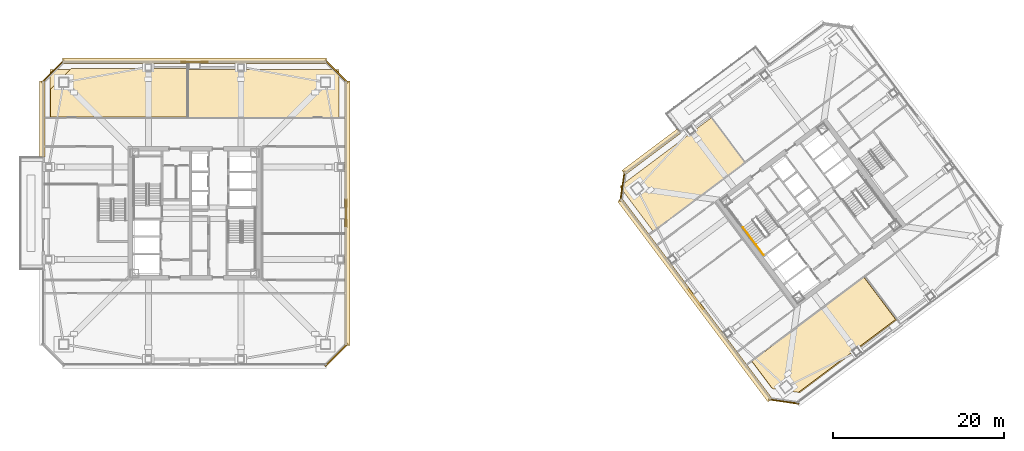
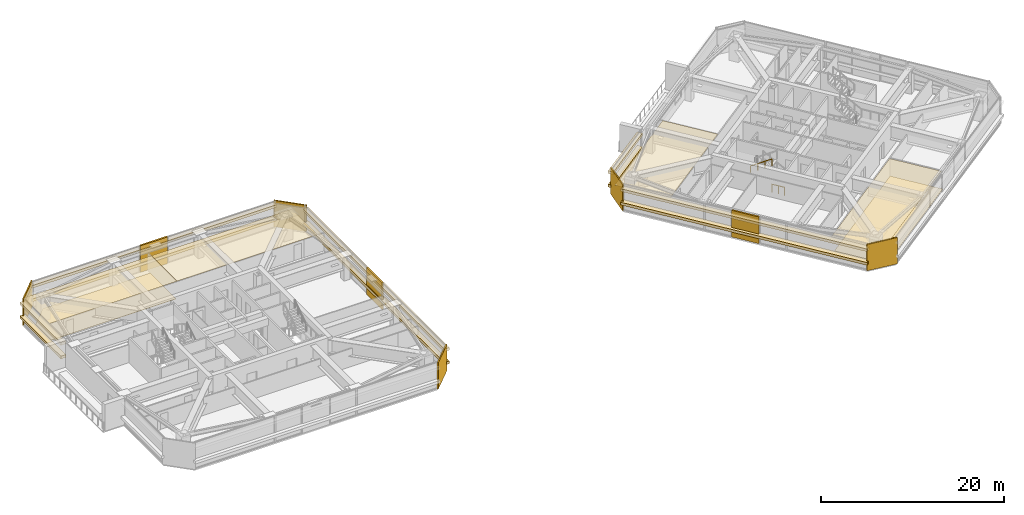
# One storey, part 39 of 42: 24 coverings, 2 railings.
"""IFC4 building model written with IfcOpenShell, lengths in metres."""

from ifc_helpers import new_model, si_unit, direction, frame, origin, origin_2d, place, context, subcontext, project, spatial, polyline, rectangle, outline, extrude, material, layer, layer_set, type_object, element, save


model = new_model("IFC4")

# Units and contexts
model_context = context("Model", 3, precision=1e-05, world=origin(), true_north=direction((0.0, 1.0)))
body_context = subcontext(model_context, "Body", "Model", "MODEL_VIEW")
ifc_project = project(units=[si_unit("LENGTHUNIT", "METRE"), si_unit("AREAUNIT", "SQUARE_METRE"), si_unit("VOLUMEUNIT", "CUBIC_METRE"), si_unit("PLANEANGLEUNIT", "RADIAN"), si_unit("MASSUNIT", "GRAM", prefix="KILO")], contexts=[model_context])

# Site, building, storey
site_placement = place(None, origin())
site = spatial("IfcSite", under=ifc_project, at=site_placement, CompositionType="ELEMENT")
building_placement = place(site_placement, origin())
building = spatial("IfcBuilding", under=site, at=building_placement, Name="Tashvorn Skyway Center", CompositionType="ELEMENT")
storey_placement = place(building_placement, frame((0.0, 0.0, 196.050048828125)))
storey = spatial("IfcBuildingStorey", under=building, at=storey_placement, Name="L53", CompositionType="ELEMENT", Elevation=196.050048828125)

# Coverings
ifc_material_1 = material(Name="Precast concrete C40/50", Category="concrete")
ifc_layer_1 = layer(ifc_material_1, 0.199951171875)
ifc_layer_set_1 = layer_set([ifc_layer_1], Name="Precast concrete C40/50")
covering_type_1 = type_object("IfcCoveringType", Name="COV-BRACE-CLAD", PredefinedType="CLADDING", material=ifc_layer_set_1)
for number, where, z_axis, x_axis, name in (
    (1, (42.0, 49.679931640625, 0.0), (0.0, 0.0, 1.0), (1.0, 0.0, 0.0), "Tower 1 L53 North Unitised Curtain Wall Mega-Brace Cladding Band 1"),
    (2, (59.679931640625, 32.0, 0.0), (0.0, 0.0, 1.0), (0.0, -1.0, 0.0), "Tower 1 L53 East Unitised Curtain Wall Mega-Brace Cladding Band 1"),
):
    element("IfcCovering", number, at=place(storey_placement, frame(where, z_axis=z_axis, x_axis=x_axis)), inside=storey, type_object=covering_type_1, Name=name, PredefinedType="CLADDING", context=body_context, shape_type="SweptSolid", body=[
        extrude(rectangle(XDim=3.417724609375, YDim=0.199951171875, at=origin_2d()), origin(), (0.0, 0.0, 1.0), 3.550048828125),
    ])
covering_1_placement = place(storey_placement, frame((100.575927734375, 21.931884765625, 0.0), z_axis=(0.0, 0.0, 1.0), x_axis=(-0.600000004945, 0.799999996291, 0.0)))
element("IfcCovering", 3, at=covering_1_placement, inside=storey, type_object=covering_type_1, Name="Tower 2 L53 West Unitised Curtain Wall Mega-Brace Cladding Band 1", PredefinedType="CLADDING", context=body_context, shape_type="SweptSolid", body=[
    extrude(rectangle(XDim=3.239990234375, YDim=0.199951171875, at=origin_2d()), origin(), (0.0, 0.0, 1.0), 3.550048828125),
])
ifc_material_2 = material(Name="Mineral-fibre acoustic ceiling tile on suspended grid")
ifc_layer_2 = layer(ifc_material_2, 0.02001953125)
ifc_layer_set_2 = layer_set([ifc_layer_2], Name="Mineral-fibre acoustic ceiling tile on suspended grid")
covering_type_2 = type_object("IfcCoveringType", Name="COV-CEIL-20", PredefinedType="CEILING", material=ifc_layer_set_2)
covering_2_placement = place(storey_placement, frame((0.0, 0.0, 2.373046875)))
element("IfcCovering", 4, at=covering_2_placement, inside=storey, type_object=covering_type_2, Name="Tower 1 L53 Gallery Showroom Acoustic Ceiling", PredefinedType="CEILING", context=body_context, shape_type="SweptSolid", body=[
    extrude(outline(polyline([(25.10009765625, 43.169921875), (41.199951171875, 43.169921875), (41.199951171875, 48.800048828125), (25.10009765625, 48.800048828125), (25.10009765625, 43.169921875)])), origin(), (0.0, 0.0, 1.0), 0.02001953125),
])
covering_3_placement = place(storey_placement, frame((0.0, 0.0, 2.373046875)))
element("IfcCovering", 5, at=covering_3_placement, inside=storey, type_object=covering_type_2, Name="Tower 1 L53 Gallery Showroom Acoustic Ceiling", PredefinedType="CEILING", context=body_context, shape_type="SweptSolid", body=[
    extrude(outline(polyline([(41.199951171875, 43.169921875), (58.89990234375, 43.169921875), (58.89990234375, 48.800048828125), (41.199951171875, 48.800048828125), (41.199951171875, 43.169921875)])), origin(), (0.0, 0.0, 1.0), 0.02001953125),
])
covering_4_placement = place(storey_placement, frame((0.0, 0.0, 2.373046875)))
element("IfcCovering", 6, at=covering_4_placement, inside=storey, type_object=covering_type_2, Name="Tower 2 L53 Open Plan Office Acoustic Ceiling", PredefinedType="CEILING", context=body_context, shape_type="SweptSolid", body=[
    extrude(outline(polyline([(95.590087890625, 29.8798828125), (106.31005859375, 37.919921875), (102.3798828125, 43.159912109375), (91.659912109375, 35.1201171875), (95.590087890625, 29.8798828125)])), origin(), (0.0, 0.0, 1.0), 0.02001953125),
])
covering_5_placement = place(storey_placement, frame((0.0, 0.0, 2.373046875)))
element("IfcCovering", 7, at=covering_5_placement, inside=storey, type_object=covering_type_2, Name="Tower 2 L53 Open Plan Office Acoustic Ceiling", PredefinedType="CEILING", context=body_context, shape_type="SweptSolid", body=[
    extrude(outline(polyline([(107.1220703125, 14.7041015625), (120.2099609375, 24.52001953125), (123.912109375, 19.583984375), (112.552001953125, 11.06396484375), (109.528076171875, 11.49609375), (107.1220703125, 14.7041015625)])), origin(), (0.0, 0.0, 1.0), 0.02001953125),
])
ifc_material_3 = material(Name="Polished Mojave desert-aggregate terrazzo and cover plate")
ifc_layer_3 = layer(ifc_material_3, 0.0400390625)
ifc_layer_set_3 = layer_set([ifc_layer_3], Name="Polished Mojave desert-aggregate terrazzo and cover plate")
covering_type_3 = type_object("IfcCoveringType", Name="COV-FLR-40", PredefinedType="FLOORING", material=ifc_layer_set_3)
covering_6_placement = place(storey_placement, origin())
element("IfcCovering", 8, at=covering_6_placement, inside=storey, type_object=covering_type_3, Name="Tower 1 L53 Gallery Showroom Finish Flooring", PredefinedType="FLOORING", context=body_context, shape_type="SweptSolid", body=[
    extrude(outline(polyline([(41.1201171875, 43.25), (25.179931640625, 43.25), (25.179931640625, 46.47998046875), (27.60009765625, 48.89990234375), (41.1201171875, 48.89990234375), (41.1201171875, 43.25)])), origin(), (0.0, 0.0, 1.0), 0.0400390625),
])
covering_7_placement = place(storey_placement, origin())
element("IfcCovering", 9, at=covering_7_placement, inside=storey, type_object=covering_type_3, Name="Tower 2 L53 Open Plan Office Finish Flooring", PredefinedType="FLOORING", context=body_context, shape_type="SweptSolid", body=[
    extrude(outline(polyline([(112.719970703125, 11.0400390625), (109.471923828125, 11.50390625), (107.114013671875, 14.64794921875), (120.26611328125, 24.511962890625), (124.01611328125, 19.511962890625), (112.719970703125, 11.0400390625)])), origin(), (0.0, 0.0, 1.0), 0.0400390625),
])
ifc_material_4 = material(Name="Perforated ceramic-coated bronze aluminium solar screen", Category="aluminium")
ifc_layer_4 = layer(ifc_material_4, 0.85009765625)
ifc_layer_set_4 = layer_set([ifc_layer_4], Name="Perforated ceramic-coated bronze aluminium solar screen")
covering_type_4 = type_object("IfcCoveringType", Name="COV-SOLAR-BAND", PredefinedType="CLADDING", material=ifc_layer_set_4)
for number, where, z_axis, x_axis, name in (
    (10, (24.179931640625, 42.989990234375, 0.919921875), (0.0, 0.0, 1.0), (0.0, 1.0, 0.0), "L53 Perforated Ceramic-Metal Solar Screen Louvre Band West 1"),
    (11, (24.179931640625, 42.989990234375, 2.7197265625), (0.0, 0.0, 1.0), (0.0, 1.0, 0.0), "L53 Perforated Ceramic-Metal Solar Screen Louvre Band West 2"),
):
    element("IfcCovering", number, at=place(storey_placement, frame(where, z_axis=z_axis, x_axis=x_axis)), inside=storey, type_object=covering_type_4, Name=name, PredefinedType="CLADDING", context=body_context, shape_type="SweptSolid", body=[
        extrude(rectangle(XDim=8.89990234375, YDim=0.639892578125, at=origin_2d()), origin(), (0.0, 0.0, 1.0), 0.360107421875),
    ])
for number, where, z_axis, x_axis, name in (
    (12, (42.0, 49.820068359375, 0.919921875), (0.0, 0.0, 1.0), (1.0, 0.0, 0.0), "L53 Perforated Ceramic-Metal Solar Screen Louvre Band North 1"),
    (13, (42.0, 49.820068359375, 2.7197265625), (0.0, 0.0, 1.0), (1.0, 0.0, 0.0), "L53 Perforated Ceramic-Metal Solar Screen Louvre Band North 2"),
    (14, (59.820068359375, 32.0, 0.919921875), (0.0, 0.0, 1.0), (0.0, -1.0, 0.0), "L53 Perforated Ceramic-Metal Solar Screen Louvre Band East 1"),
    (15, (59.820068359375, 32.0, 2.7197265625), (0.0, 0.0, 1.0), (0.0, -1.0, 0.0), "L53 Perforated Ceramic-Metal Solar Screen Louvre Band East 2"),
):
    element("IfcCovering", number, at=place(storey_placement, frame(where, z_axis=z_axis, x_axis=x_axis)), inside=storey, type_object=covering_type_4, Name=name, PredefinedType="CLADDING", context=body_context, shape_type="SweptSolid", body=[
        extrude(rectangle(XDim=30.8798828125, YDim=0.639892578125, at=origin_2d()), origin(), (0.0, 0.0, 1.0), 0.360107421875),
    ])
for number, where, z_axis, x_axis, name in (
    (16, (100.464111328125, 21.847900390625, 0.919921875), (0.0, 0.0, 1.0), (-0.600000004945, 0.799999996291, 0.0), "L53 Perforated Ceramic-Metal Solar Screen Louvre Band West 1"),
    (17, (100.464111328125, 21.847900390625, 2.7197265625), (0.0, 0.0, 1.0), (-0.600000004945, 0.799999996291, 0.0), "L53 Perforated Ceramic-Metal Solar Screen Louvre Band West 2"),
):
    element("IfcCovering", number, at=place(storey_placement, frame(where, z_axis=z_axis, x_axis=x_axis)), inside=storey, type_object=covering_type_4, Name=name, PredefinedType="CLADDING", context=body_context, shape_type="SweptSolid", body=[
        extrude(rectangle(XDim=29.280029296875, YDim=0.639892578125, at=origin_2d()), origin(), (0.0, 0.0, 1.0), 0.360107421875),
    ])
for number, where, z_axis, x_axis, name in (
    (18, (95.3759765625, 39.181884765625, 0.919921875), (0.0, 0.0, 1.0), (0.799999996291, 0.600000004945, 0.0), "L53 Perforated Ceramic-Metal Solar Screen Louvre Band North 1"),
    (19, (95.3759765625, 39.181884765625, 2.7197265625), (0.0, 0.0, 1.0), (0.799999996291, 0.600000004945, 0.0), "L53 Perforated Ceramic-Metal Solar Screen Louvre Band North 2"),
):
    element("IfcCovering", number, at=place(storey_placement, frame(where, z_axis=z_axis, x_axis=x_axis)), inside=storey, type_object=covering_type_4, Name=name, PredefinedType="CLADDING", context=body_context, shape_type="SweptSolid", body=[
        extrude(rectangle(XDim=8.10009765625, YDim=0.639892578125, at=origin_2d()), origin(), (0.0, 0.0, 1.0), 0.360107421875),
    ])
ifc_layer_5 = layer(ifc_material_1, 0.35009765625)
ifc_layer_set_5 = layer_set([ifc_layer_5], Name="Precast concrete C40/50")
covering_type_5 = type_object("IfcCoveringType", Name="COV-STONE-TRIM", PredefinedType="CLADDING", material=ifc_layer_set_5)
for number, where, z_axis, x_axis, name in (
    (20, (25.429931640625, 48.570068359375, 0.02001953125), (0.0, 0.0, 1.0), (-0.707106781187, -0.707106781187, 0.0), "Tower 1 L53 NW Mojave Limestone Corner Quoin"),
    (21, (58.570068359375, 48.570068359375, 0.02001953125), (0.0, 0.0, 1.0), (0.707106781187, -0.707106781187, 0.0), "Tower 1 L53 NE Mojave Limestone Corner Quoin"),
    (22, (58.570068359375, 15.429931640625, 0.02001953125), (0.0, 0.0, 1.0), (0.707106781187, 0.707106781187, 0.0), "Tower 1 L53 SE Mojave Limestone Corner Quoin"),
):
    element("IfcCovering", number, at=place(storey_placement, frame(where, z_axis=z_axis, x_axis=x_axis)), inside=storey, type_object=covering_type_5, Name=name, PredefinedType="CLADDING", context=body_context, shape_type="SweptSolid", body=[
        extrude(rectangle(XDim=3.695556640625, YDim=0.139892578125, at=origin_2d()), origin(), (0.0, 0.0, 1.0), 3.510009765625),
    ])
for number, where, z_axis, x_axis, name in (
    (23, (110.85595703125, 9.991943359375, 0.02001953125), (0.0, 0.0, 1.0), (-0.989949494535, 0.141421350118, 0.0), "Tower 2 L53 SW Mojave Limestone Corner Quoin"),
    (24, (91.991943359375, 35.14404296875, 0.02001953125), (0.0, 0.0, 1.0), (-0.141421350118, -0.989949494535, 0.0), "Tower 2 L53 NW Mojave Limestone Corner Quoin"),
):
    element("IfcCovering", number, at=place(storey_placement, frame(where, z_axis=z_axis, x_axis=x_axis)), inside=storey, type_object=covering_type_5, Name=name, PredefinedType="CLADDING", context=body_context, shape_type="SweptSolid", body=[
        extrude(rectangle(XDim=3.55419921875, YDim=0.139892578125, at=origin_2d()), origin(), (0.0, 0.0, 1.0), 3.510009765625),
    ])

# Railings
ifc_material_5 = material(Name="Brushed stainless steel 316", Category="steel")
railing_type_1 = type_object("IfcRailingType", Name="RAIL-HAND-920", PredefinedType="HANDRAIL", material=ifc_material_5)
railing_1_placement = place(storey_placement, frame((106.072021484375, 30.35400390625, 1.952392578125)))
element("IfcRailing", 25, at=railing_1_placement, inside=storey, type_object=railing_type_1, Name="L53 ST-T2-1 stair handrail 2", PredefinedType="HANDRAIL", context=body_context, shape_type="SweptSolid", body=[
    extrude(rectangle(XDim=0.048095703125, YDim=0.048095703125, at=origin_2d()), frame((0.0, 0.0, 0.8759765625), z_axis=(0.506718600913, -0.675679348675, 0.535437836974), x_axis=(0.800023250257, 0.599968998406, 0.0)), (0.0, 0.0, 1.0), 2.98388671875),
    extrude(rectangle(XDim=0.0419921875, YDim=0.0419921875, at=origin_2d()), origin(), (0.0, 0.0, 1.0), 0.851806640625),
    extrude(rectangle(XDim=0.0419921875, YDim=0.0419921875, at=origin_2d()), frame((0.50390625, -0.672119140625, 0.532470703125)), (0.0, 0.0, 1.0), 0.851806640625),
    extrude(rectangle(XDim=0.0419921875, YDim=0.0419921875, at=origin_2d()), frame((1.008056640625, -1.343994140625, 1.065185546875)), (0.0, 0.0, 1.0), 0.851806640625),
    extrude(rectangle(XDim=0.0419921875, YDim=0.0419921875, at=origin_2d()), frame((1.511962890625, -2.01611328125, 1.59765625)), (0.0, 0.0, 1.0), 0.851806640625),
])
ifc_material_6 = material(Name="Painted galvanized steel S355", Category="steel")
railing_type_2 = type_object("IfcRailingType", Name="RAIL-STGUARD-1100", PredefinedType="GUARDRAIL", material=ifc_material_6)
railing_2_placement = place(storey_placement, frame((108.49609375, 27.1220703125, 0.0)))
element("IfcRailing", 26, at=railing_2_placement, inside=storey, type_object=railing_type_2, Name="L53 ST-T2-1 stair guard 6", PredefinedType="GUARDRAIL", context=body_context, shape_type="SweptSolid", body=[
    extrude(rectangle(XDim=0.048095703125, YDim=0.048095703125, at=origin_2d()), frame((0.0, 0.0, 1.076171875), z_axis=(-0.600102796382, 0.799922892393, 0.0), x_axis=(-0.799922892393, -0.600102796382, 0.0)), (0.0, 0.0, 1.0), 1.52001953125),
    extrude(rectangle(XDim=0.0419921875, YDim=0.0419921875, at=origin_2d()), origin(), (0.0, 0.0, 1.0), 1.052001953125),
    extrude(rectangle(XDim=0.0419921875, YDim=0.0419921875, at=origin_2d()), frame((-0.4560546875, 0.60791015625, 0.0)), (0.0, 0.0, 1.0), 1.052001953125),
    extrude(rectangle(XDim=0.0419921875, YDim=0.0419921875, at=origin_2d()), frame((-0.912109375, 1.2158203125, 0.0)), (0.0, 0.0, 1.0), 1.052001953125),
])

save(model, "model.ifc")
